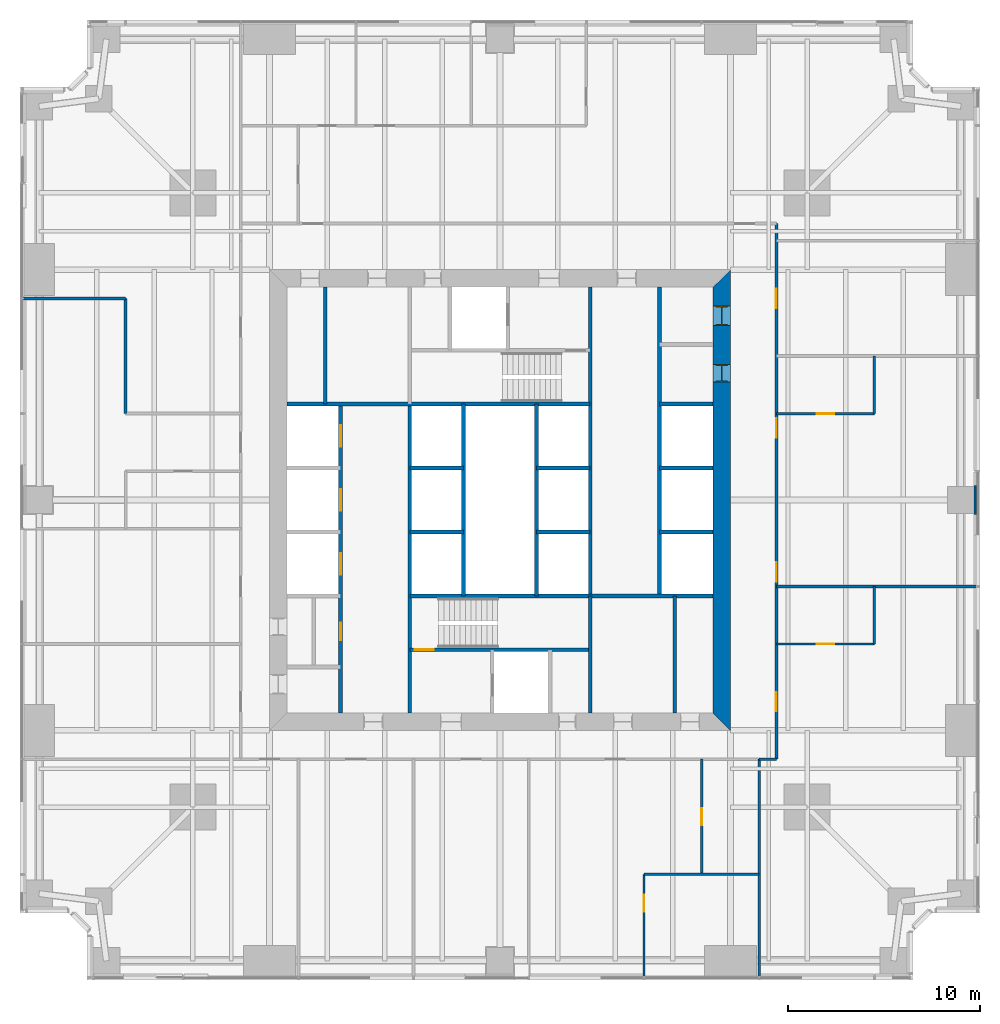
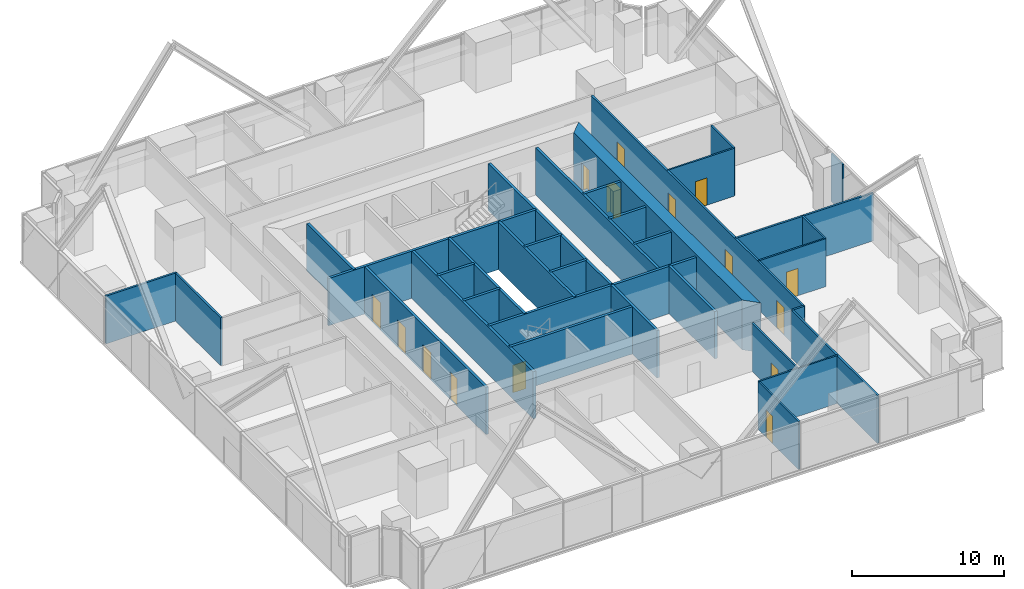
# One storey, part 10 of 13: 34 walls, 15 doors, 15 openings.
"""IFC4 building model written with IfcOpenShell, lengths in metres."""

from ifc_helpers import new_model, si_unit, direction, frame, frame_2d, origin, place, context, subcontext, project, spatial, polyline, rectangle, outline, extrude, material, layer, layer_set, type_object, element, fill, save


model = new_model("IFC4")

# Units and contexts
model_context = context("Model", 3, precision=1e-05, world=origin(), true_north=direction((0.0, 1.0)))
body_context = subcontext(model_context, "Body", "Model", "MODEL_VIEW")
ifc_project = project(units=[si_unit("LENGTHUNIT", "METRE"), si_unit("AREAUNIT", "SQUARE_METRE"), si_unit("VOLUMEUNIT", "CUBIC_METRE"), si_unit("PLANEANGLEUNIT", "RADIAN"), si_unit("MASSUNIT", "GRAM", prefix="KILO")], contexts=[model_context])

# Site, building, storey
site_placement = place(None, origin())
site = spatial("IfcSite", under=ifc_project, at=site_placement, CompositionType="ELEMENT")
building_placement = place(site_placement, origin())
building = spatial("IfcBuilding", under=site, at=building_placement, Name="Fenwick Lantern Interchange", CompositionType="ELEMENT")
storey_placement = place(building_placement, frame((0.0, 0.0, 67.0)))
storey = spatial("IfcBuildingStorey", under=building, at=storey_placement, Name="L15", CompositionType="ELEMENT", Elevation=67.0)

# Wall
ifc_material_1 = material(Name="Fire-rated gypsum board encasement on steel studs, 2 hour", Category="steel")
ifc_layer_1 = layer(ifc_material_1, 1.5)
ifc_layer_set_1 = layer_set([ifc_layer_1], Name="COLUMN PIER 1500")
wall_type_1 = type_object("IfcWallType", Name="COLUMN PIER 1500", PredefinedType="PARTITIONING", material=ifc_layer_set_1)
wall_1_placement = place(storey_placement, frame((49.800048828125, 25.0, 0.0), z_axis=(0.0, 0.0, 1.0), x_axis=(-1.0, 0.0, 0.0)))
element("IfcWall", 1, at=wall_1_placement, inside=storey, type_object=wall_type_1, Name="L15/W/PIER/CE3", PredefinedType="PARTITIONING", context=body_context, shape_type="SweptSolid", body=[
    extrude(rectangle(XDim=0.10009765625, YDim=1.5, at=frame_2d((0.050048828125, 0.0))), origin(), (0.0, 0.0, 1.0), 3.85009765625),
])

# Wall, openings, doors
ifc_material_2 = material(Name="Concrete masonry ASTM C90 Grade N", Category="masonry")
ifc_layer_2 = layer(ifc_material_2, 0.199951171875)
ifc_layer_set_2 = layer_set([ifc_layer_2], Name="Concrete masonry ASTM C90 Grade N")
wall_type_2 = type_object("IfcWallType", Name="CORE PARTITION 200", PredefinedType="PARTITIONING", material=ifc_layer_set_2)
wall_2_placement = place(storey_placement, frame((16.699951171875, 13.89990234375, 0.0), z_axis=(0.0, 0.0, 1.0), x_axis=(0.0, 1.0, 0.0)))
wall_2 = element("IfcWall", 2, at=wall_2_placement, inside=storey, type_object=wall_type_2, Name="L15/W/CORES/a", PredefinedType="PARTITIONING", context=body_context, shape_type="SweptSolid", body=[
    extrude(rectangle(XDim=16.10009765625, YDim=0.199951171875, at=frame_2d((8.050048828125, 0.0))), origin(), (0.0, 0.0, 1.0), 3.800048828125),
])
opening_1_placement = place(wall_2_placement, frame((3.800048828125, 0.0, 0.0)))
opening_1 = element("IfcOpeningElement", 3, at=opening_1_placement, cuts=wall_2, Name="Opening L15-D008", PredefinedType="OPENING", context=body_context, shape_type="SweptSolid", body=[
    extrude(rectangle(XDim=0.89990234375, YDim=2.199951171875, at=frame_2d((0.449951171875, 1.10009765625))), frame((0.0, 0.10986328125, 0.0), z_axis=(0.0, -1.0, 0.0), x_axis=(1.0, 0.0, 0.0)), (0.0, 0.0, 1.0), 0.219970703125),
])
opening_2_placement = place(wall_2_placement, frame((7.216552734375, 0.0, 0.0)))
opening_2 = element("IfcOpeningElement", 4, at=opening_2_placement, cuts=wall_2, Name="Opening LD-W1-1", PredefinedType="OPENING", context=body_context, shape_type="SweptSolid", body=[
    extrude(rectangle(XDim=1.10009765625, YDim=2.199951171875, at=frame_2d((0.550048828125, 1.10009765625))), frame((0.0, 0.10986328125, 0.0), z_axis=(0.0, -1.0, 0.0), x_axis=(1.0, 0.0, 0.0)), (0.0, 0.0, 1.0), 0.219970703125),
])
opening_3_placement = place(wall_2_placement, frame((10.550048828125, 0.0, 0.0)))
opening_3 = element("IfcOpeningElement", 5, at=opening_3_placement, cuts=wall_2, Name="Opening LD-W1-2", PredefinedType="OPENING", context=body_context, shape_type="SweptSolid", body=[
    extrude(rectangle(XDim=1.10009765625, YDim=2.199951171875, at=frame_2d((0.550048828125, 1.10009765625))), frame((0.0, 0.10986328125, 0.0), z_axis=(0.0, -1.0, 0.0), x_axis=(1.0, 0.0, 0.0)), (0.0, 0.0, 1.0), 0.219970703125),
])
opening_4_placement = place(wall_2_placement, frame((13.88330078125, 0.0, 0.0)))
opening_4 = element("IfcOpeningElement", 6, at=opening_4_placement, cuts=wall_2, Name="Opening LD-W1-3", PredefinedType="OPENING", context=body_context, shape_type="SweptSolid", body=[
    extrude(rectangle(XDim=1.10009765625, YDim=2.199951171875, at=frame_2d((0.550048828125, 1.10009765625))), frame((0.0, 0.10986328125, 0.0), z_axis=(0.0, -1.0, 0.0), x_axis=(1.0, 0.0, 0.0)), (0.0, 0.0, 1.0), 0.219970703125),
])
ifc_material_3 = material(Name="Steel door and frame", Category="steel")
door_type_1 = type_object("IfcDoorType", Name="LIFT LANDING DOOR 1100 X 2200", OperationType="DOUBLE_DOOR_SLIDING", PredefinedType="DOOR", material=ifc_material_3)
door_1_placement = place(opening_2_placement, origin())
door_1 = element("IfcDoor", 7, at=door_1_placement, inside=storey, type_object=door_type_1, Name="Lift landing door W1-1", OperationType="DOUBLE_DOOR_SLIDING", OverallHeight=2.199951171875, OverallWidth=1.10009765625, PredefinedType="DOOR", context=body_context, shape_type="SweptSolid", body=[
    extrude(rectangle(XDim=1.10009765625, YDim=2.199951171875, at=frame_2d((0.550048828125, 1.10009765625))), frame((0.0, 0.02490234375, 0.0), z_axis=(0.0, -1.0, 0.0), x_axis=(1.0, 0.0, 0.0)), (0.0, 0.0, 1.0), 0.050048828125),
])
fill(opening_2, door_1)
door_2_placement = place(opening_3_placement, origin())
door_2 = element("IfcDoor", 8, at=door_2_placement, inside=storey, type_object=door_type_1, Name="Lift landing door W1-2", OperationType="DOUBLE_DOOR_SLIDING", OverallHeight=2.199951171875, OverallWidth=1.10009765625, PredefinedType="DOOR", context=body_context, shape_type="SweptSolid", body=[
    extrude(rectangle(XDim=1.10009765625, YDim=2.199951171875, at=frame_2d((0.550048828125, 1.10009765625))), frame((0.0, 0.02490234375, 0.0), z_axis=(0.0, -1.0, 0.0), x_axis=(1.0, 0.0, 0.0)), (0.0, 0.0, 1.0), 0.050048828125),
])
fill(opening_3, door_2)
door_3_placement = place(opening_4_placement, origin())
door_3 = element("IfcDoor", 9, at=door_3_placement, inside=storey, type_object=door_type_1, Name="Lift landing door W1-3", OperationType="DOUBLE_DOOR_SLIDING", OverallHeight=2.199951171875, OverallWidth=1.10009765625, PredefinedType="DOOR", context=body_context, shape_type="SweptSolid", body=[
    extrude(rectangle(XDim=1.10009765625, YDim=2.199951171875, at=frame_2d((0.550048828125, 1.10009765625))), frame((0.0, 0.02490234375, 0.0), z_axis=(0.0, -1.0, 0.0), x_axis=(1.0, 0.0, 0.0)), (0.0, 0.0, 1.0), 0.050048828125),
])
fill(opening_4, door_3)
door_type_2 = type_object("IfcDoorType", Name="SERVICE DOOR 900 X 2200", OperationType="SINGLE_SWING_LEFT", PredefinedType="DOOR", material=ifc_material_3)
door_4_placement = place(opening_1_placement, origin())
door_4 = element("IfcDoor", 10, at=door_4_placement, inside=storey, type_object=door_type_2, Name="Service door", OperationType="SINGLE_SWING_LEFT", OverallHeight=2.199951171875, OverallWidth=0.89990234375, PredefinedType="DOOR", context=body_context, shape_type="SweptSolid", body=[
    extrude(rectangle(XDim=0.89990234375, YDim=2.199951171875, at=frame_2d((0.449951171875, 1.10009765625))), frame((0.0, 0.02490234375, 0.0), z_axis=(0.0, -1.0, 0.0), x_axis=(1.0, 0.0, 0.0)), (0.0, 0.0, 1.0), 0.050048828125),
])
fill(opening_1, door_4)

# Walls
for number, where, z_axis, x_axis, name in (
    (11, (20.300048828125, 23.333251953125, 0.0), (0.0, 0.0, 1.0), (1.0, 0.0, 0.0), "L15/W/CORES/e1"),
    (12, (20.300048828125, 26.666748046875, 0.0), (0.0, 0.0, 1.0), (1.0, 0.0, 0.0), "L15/W/CORES/e2"),
):
    element("IfcWall", number, at=place(storey_placement, frame(where, z_axis=z_axis, x_axis=x_axis)), inside=storey, type_object=wall_type_2, Name=name, PredefinedType="PARTITIONING", context=body_context, shape_type="SweptSolid", body=[
        extrude(rectangle(XDim=2.800048828125, YDim=0.199951171875, at=frame_2d((1.39990234375, 0.0))), origin(), (0.0, 0.0, 1.0), 3.800048828125),
    ])
wall_3_placement = place(storey_placement, frame((23.10009765625, 20.0, 0.0), z_axis=(0.0, 0.0, 1.0), x_axis=(0.0, 1.0, 0.0)))
element("IfcWall", 13, at=wall_3_placement, inside=storey, type_object=wall_type_2, Name="L15/W/CORES/e3", PredefinedType="PARTITIONING", context=body_context, shape_type="SweptSolid", body=[
    extrude(rectangle(XDim=10.0, YDim=0.199951171875, at=frame_2d((5.0, 0.0))), origin(), (0.0, 0.0, 1.0), 3.800048828125),
])
wall_4_placement = place(storey_placement, frame((34.10009765625, 13.89990234375, 0.0), z_axis=(0.0, 0.0, 1.0), x_axis=(0.0, 1.0, 0.0)))
element("IfcWall", 14, at=wall_4_placement, inside=storey, type_object=wall_type_2, Name="L15/W/CORES/i2", PredefinedType="PARTITIONING", context=body_context, shape_type="SweptSolid", body=[
    extrude(rectangle(XDim=6.10009765625, YDim=0.199951171875, at=frame_2d((3.050048828125, 0.0))), origin(), (0.0, 0.0, 1.0), 3.800048828125),
])
wall_5_placement = place(storey_placement, frame((33.300048828125, 36.10009765625, 0.0), z_axis=(0.0, 0.0, 1.0), x_axis=(0.0, -1.0, 0.0)))
element("IfcWall", 15, at=wall_5_placement, inside=storey, type_object=wall_type_2, Name="L15/W/COREN/a", PredefinedType="PARTITIONING", context=body_context, shape_type="SweptSolid", body=[
    extrude(rectangle(XDim=16.10009765625, YDim=0.199951171875, at=frame_2d((8.050048828125, 0.0))), origin(), (0.0, 0.0, 1.0), 3.800048828125),
])
for number, where, z_axis, x_axis, name in (
    (16, (36.10009765625, 30.0, 0.0), (0.0, 0.0, 1.0), (-1.0, 0.0, 0.0), "L15/W/COREN/c2"),
    (17, (36.10009765625, 26.666748046875, 0.0), (0.0, 0.0, 1.0), (-1.0, 0.0, 0.0), "L15/W/COREN/d1"),
    (18, (36.10009765625, 23.333251953125, 0.0), (0.0, 0.0, 1.0), (-1.0, 0.0, 0.0), "L15/W/COREN/d2"),
    (19, (29.699951171875, 26.666748046875, 0.0), (0.0, 0.0, 1.0), (-1.0, 0.0, 0.0), "L15/W/COREN/e1"),
    (20, (29.699951171875, 23.333251953125, 0.0), (0.0, 0.0, 1.0), (-1.0, 0.0, 0.0), "L15/W/COREN/e2"),
):
    element("IfcWall", number, at=place(storey_placement, frame(where, z_axis=z_axis, x_axis=x_axis)), inside=storey, type_object=wall_type_2, Name=name, PredefinedType="PARTITIONING", context=body_context, shape_type="SweptSolid", body=[
        extrude(rectangle(XDim=2.800048828125, YDim=0.199951171875, at=frame_2d((1.39990234375, 0.0))), origin(), (0.0, 0.0, 1.0), 3.800048828125),
    ])
wall_6_placement = place(storey_placement, frame((26.89990234375, 30.0, 0.0), z_axis=(0.0, 0.0, 1.0), x_axis=(0.0, -1.0, 0.0)))
element("IfcWall", 21, at=wall_6_placement, inside=storey, type_object=wall_type_2, Name="L15/W/COREN/e3", PredefinedType="PARTITIONING", context=body_context, shape_type="SweptSolid", body=[
    extrude(rectangle(XDim=10.0, YDim=0.199951171875, at=frame_2d((5.0, 0.0))), origin(), (0.0, 0.0, 1.0), 3.800048828125),
])
wall_7_placement = place(storey_placement, frame((15.89990234375, 36.10009765625, 0.0), z_axis=(0.0, 0.0, 1.0), x_axis=(0.0, -1.0, 0.0)))
element("IfcWall", 22, at=wall_7_placement, inside=storey, type_object=wall_type_2, Name="L15/W/COREN/i2", PredefinedType="PARTITIONING", context=body_context, shape_type="SweptSolid", body=[
    extrude(rectangle(XDim=6.10009765625, YDim=0.199951171875, at=frame_2d((3.050048828125, 0.0))), origin(), (0.0, 0.0, 1.0), 3.800048828125),
])

# Wall, openings, doors
ifc_material_4 = material(Name="Concrete f'c 70 MPa", Category="concrete")
ifc_layer_3 = layer(ifc_material_4, 0.89990234375)
ifc_layer_set_3 = layer_set([ifc_layer_3], Name="CORE WALL 900")
wall_type_3 = type_object("IfcWallType", Name="CORE WALL 900", PredefinedType="SHEAR", material=ifc_layer_set_3)
wall_8_placement = place(storey_placement, frame((36.550048828125, 13.89990234375, 0.0), z_axis=(0.0, 0.0, 1.0), x_axis=(0.0, 1.0, 0.0)))
wall_8 = element("IfcWall", 23, at=wall_8_placement, inside=storey, type_object=wall_type_3, Name="L15/CORE/E", PredefinedType="SHEAR", context=body_context, shape_type="SweptSolid", body=[
    extrude(outline(polyline([(-0.89990234375, -0.449951171875), (23.10009765625, -0.449951171875), (22.199951171875, 0.449951171875), (0.0, 0.449951171875), (-0.89990234375, -0.449951171875)])), origin(), (0.0, 0.0, 1.0), 4.0),
])
opening_5_placement = place(wall_8_placement, frame((20.199951171875, 0.0, 0.0)))
opening_5 = element("IfcOpeningElement", 24, at=opening_5_placement, cuts=wall_8, Name="Opening L15-D016", PredefinedType="OPENING", context=body_context, shape_type="SweptSolid", body=[
    extrude(rectangle(XDim=1.0, YDim=2.199951171875, at=frame_2d((0.5, 1.10009765625))), frame((0.0, 0.4599609375, 0.0), z_axis=(0.0, -1.0, 0.0), x_axis=(1.0, 0.0, 0.0)), (0.0, 0.0, 1.0), 0.919921875),
])
opening_6_placement = place(wall_8_placement, frame((17.25, 0.0, 0.0)))
opening_6 = element("IfcOpeningElement", 25, at=opening_6_placement, cuts=wall_8, Name="Opening L15-D017", PredefinedType="OPENING", context=body_context, shape_type="SweptSolid", body=[
    extrude(rectangle(XDim=0.89990234375, YDim=2.199951171875, at=frame_2d((0.449951171875, 1.10009765625))), frame((0.0, 0.4599609375, 0.0), z_axis=(0.0, -1.0, 0.0), x_axis=(1.0, 0.0, 0.0)), (0.0, 0.0, 1.0), 0.919921875),
])
door_5_placement = place(opening_6_placement, origin())
door_5 = element("IfcDoor", 26, at=door_5_placement, inside=storey, type_object=door_type_2, Name="Service door", OperationType="SINGLE_SWING_RIGHT", OverallHeight=2.199951171875, OverallWidth=0.89990234375, PredefinedType="DOOR", context=body_context, shape_type="SweptSolid", body=[
    extrude(rectangle(XDim=0.89990234375, YDim=2.199951171875, at=frame_2d((0.449951171875, 1.10009765625))), frame((0.0, 0.02490234375, 0.0), z_axis=(0.0, -1.0, 0.0), x_axis=(1.0, 0.0, 0.0)), (0.0, 0.0, 1.0), 0.050048828125),
    extrude(outline(polyline([(0.0, 0.0), (0.0400390625, 0.0), (0.0400390625, 2.159912109375), (0.85986328125, 2.159912109375), (0.85986328125, 0.0), (0.89990234375, 0.0), (0.89990234375, 2.199951171875), (0.0, 2.199951171875), (0.0, 0.0)])), frame((0.0, 0.300048828125, 0.0), z_axis=(0.0, -1.0, 0.0), x_axis=(1.0, 0.0, 0.0)), (0.0, 0.0, 1.0), 0.60009765625),
])
fill(opening_6, door_5)
ifc_material_5 = material(Name="Hardwood door and steel frame", Category="steel")
door_type_3 = type_object("IfcDoorType", Name="WC DOOR 1000 X 2200", OperationType="SINGLE_SWING_LEFT", PredefinedType="DOOR", material=ifc_material_5)
door_6_placement = place(opening_5_placement, origin())
door_6 = element("IfcDoor", 27, at=door_6_placement, inside=storey, type_object=door_type_3, Name="Wc door", OperationType="SINGLE_SWING_LEFT", OverallHeight=2.199951171875, OverallWidth=1.0, PredefinedType="DOOR", context=body_context, shape_type="SweptSolid", body=[
    extrude(rectangle(XDim=1.0, YDim=2.199951171875, at=frame_2d((0.5, 1.10009765625))), frame((0.0, 0.02490234375, 0.0), z_axis=(0.0, -1.0, 0.0), x_axis=(1.0, 0.0, 0.0)), (0.0, 0.0, 1.0), 0.050048828125),
    extrude(outline(polyline([(0.0, 0.0), (0.0400390625, 0.0), (0.0400390625, 2.159912109375), (0.9599609375, 2.159912109375), (0.9599609375, 0.0), (1.0, 0.0), (1.0, 2.199951171875), (0.0, 2.199951171875), (0.0, 0.0)])), frame((0.0, 0.300048828125, 0.0), z_axis=(0.0, -1.0, 0.0), x_axis=(1.0, 0.0, 0.0)), (0.0, 0.0, 1.0), 0.60009765625),
])
fill(opening_5, door_6)

# Wall
ifc_material_6 = material(Name="Gypsum board on steel studs, 1 hour", Category="steel")
ifc_layer_4 = layer(ifc_material_6, 0.14990234375)
ifc_layer_set_4 = layer_set([ifc_layer_4], Name="CORRIDOR WALL 150")
wall_type_4 = type_object("IfcWallType", Name="CORRIDOR WALL 150", PredefinedType="PARTITIONING", material=ifc_layer_set_4)
wall_9_placement = place(storey_placement, frame((38.5, 11.5, 0.0), z_axis=(0.0, 0.0, 1.0), x_axis=(1.0, 0.0, 0.0)))
element("IfcWall", 28, at=wall_9_placement, inside=storey, type_object=wall_type_4, Name="L15/W/OFF/E/CWJ", PredefinedType="PARTITIONING", context=body_context, shape_type="SweptSolid", body=[
    extrude(rectangle(XDim=0.89990234375, YDim=0.14990234375, at=frame_2d((0.449951171875, 0.0))), origin(), (0.0, 0.0, 1.0), 3.85009765625),
])

# Wall, openings, doors
wall_10_placement = place(storey_placement, frame((39.39990234375, 11.5, 0.0), z_axis=(0.0, 0.0, 1.0), x_axis=(0.0, 1.0, 0.0)))
wall_10 = element("IfcWall", 29, at=wall_10_placement, inside=storey, type_object=wall_type_4, Name="L15/W/OFF/E/CW2", PredefinedType="PARTITIONING", context=body_context, shape_type="SweptSolid", body=[
    extrude(rectangle(XDim=27.89990234375, YDim=0.14990234375, at=frame_2d((13.949951171875, 0.0))), origin(), (0.0, 0.0, 1.0), 3.85009765625),
])
opening_7_placement = place(wall_10_placement, frame((2.5, 0.0, 0.0)))
opening_7 = element("IfcOpeningElement", 30, at=opening_7_placement, cuts=wall_10, Name="Opening L15-D024", PredefinedType="OPENING", context=body_context, shape_type="SweptSolid", body=[
    extrude(rectangle(XDim=1.0, YDim=2.199951171875, at=frame_2d((0.5, 1.10009765625))), frame((0.0, 0.0849609375, 0.0), z_axis=(0.0, -1.0, 0.0), x_axis=(1.0, 0.0, 0.0)), (0.0, 0.0, 1.0), 0.169921875),
])
opening_8_placement = place(wall_10_placement, frame((9.25, 0.0, 0.0)))
opening_8 = element("IfcOpeningElement", 31, at=opening_8_placement, cuts=wall_10, Name="Opening L15-D026", PredefinedType="OPENING", context=body_context, shape_type="SweptSolid", body=[
    extrude(rectangle(XDim=1.0, YDim=2.199951171875, at=frame_2d((0.5, 1.10009765625))), frame((0.0, 0.0849609375, 0.0), z_axis=(0.0, -1.0, 0.0), x_axis=(1.0, 0.0, 0.0)), (0.0, 0.0, 1.0), 0.169921875),
])
opening_9_placement = place(wall_10_placement, frame((16.75, 0.0, 0.0)))
opening_9 = element("IfcOpeningElement", 32, at=opening_9_placement, cuts=wall_10, Name="Opening L15-D027", PredefinedType="OPENING", context=body_context, shape_type="SweptSolid", body=[
    extrude(rectangle(XDim=1.0, YDim=2.199951171875, at=frame_2d((0.5, 1.10009765625))), frame((0.0, 0.0849609375, 0.0), z_axis=(0.0, -1.0, 0.0), x_axis=(1.0, 0.0, 0.0)), (0.0, 0.0, 1.0), 0.169921875),
])
opening_10_placement = place(wall_10_placement, frame((23.5, 0.0, 0.0)))
opening_10 = element("IfcOpeningElement", 33, at=opening_10_placement, cuts=wall_10, Name="Opening L15-D029", PredefinedType="OPENING", context=body_context, shape_type="SweptSolid", body=[
    extrude(rectangle(XDim=1.0, YDim=2.199951171875, at=frame_2d((0.5, 1.10009765625))), frame((0.0, 0.0849609375, 0.0), z_axis=(0.0, -1.0, 0.0), x_axis=(1.0, 0.0, 0.0)), (0.0, 0.0, 1.0), 0.169921875),
])
door_type_4 = type_object("IfcDoorType", Name="SUITE ENTRANCE DOOR 1000 X 2200", OperationType="SINGLE_SWING_LEFT", PredefinedType="DOOR", material=ifc_material_3)
door_7_placement = place(opening_7_placement, frame((1.0, 0.0, 0.0), z_axis=(0.0, 0.0, 1.0), x_axis=(-1.0, 0.0, 0.0)))
door_7 = element("IfcDoor", 34, at=door_7_placement, inside=storey, type_object=door_type_4, Name="Suite entrance door", OperationType="SINGLE_SWING_LEFT", OverallHeight=2.199951171875, OverallWidth=1.0, PredefinedType="DOOR", context=body_context, shape_type="SweptSolid", body=[
    extrude(rectangle(XDim=1.0, YDim=2.199951171875, at=frame_2d((0.5, 1.10009765625))), frame((0.0, 0.02490234375, 0.0), z_axis=(0.0, -1.0, 0.0), x_axis=(1.0, 0.0, 0.0)), (0.0, 0.0, 1.0), 0.050048828125),
])
fill(opening_7, door_7)
door_8_placement = place(opening_8_placement, origin())
door_8 = element("IfcDoor", 35, at=door_8_placement, inside=storey, type_object=door_type_4, Name="Suite entrance door", OperationType="SINGLE_SWING_LEFT", OverallHeight=2.199951171875, OverallWidth=1.0, PredefinedType="DOOR", context=body_context, shape_type="SweptSolid", body=[
    extrude(rectangle(XDim=1.0, YDim=2.199951171875, at=frame_2d((0.5, 1.10009765625))), frame((0.0, 0.02490234375, 0.0), z_axis=(0.0, -1.0, 0.0), x_axis=(1.0, 0.0, 0.0)), (0.0, 0.0, 1.0), 0.050048828125),
])
fill(opening_8, door_8)
door_9_placement = place(opening_9_placement, origin())
door_9 = element("IfcDoor", 36, at=door_9_placement, inside=storey, type_object=door_type_4, Name="Suite entrance door", OperationType="SINGLE_SWING_RIGHT", OverallHeight=2.199951171875, OverallWidth=1.0, PredefinedType="DOOR", context=body_context, shape_type="SweptSolid", body=[
    extrude(rectangle(XDim=1.0, YDim=2.199951171875, at=frame_2d((0.5, 1.10009765625))), frame((0.0, 0.02490234375, 0.0), z_axis=(0.0, -1.0, 0.0), x_axis=(1.0, 0.0, 0.0)), (0.0, 0.0, 1.0), 0.050048828125),
])
fill(opening_9, door_9)
door_10_placement = place(opening_10_placement, frame((1.0, 0.0, 0.0), z_axis=(0.0, 0.0, 1.0), x_axis=(-1.0, 0.0, 0.0)))
door_10 = element("IfcDoor", 37, at=door_10_placement, inside=storey, type_object=door_type_4, Name="Suite entrance door", OperationType="SINGLE_SWING_RIGHT", OverallHeight=2.199951171875, OverallWidth=1.0, PredefinedType="DOOR", context=body_context, shape_type="SweptSolid", body=[
    extrude(rectangle(XDim=1.0, YDim=2.199951171875, at=frame_2d((0.5, 1.10009765625))), frame((0.0, 0.02490234375, 0.0), z_axis=(0.0, -1.0, 0.0), x_axis=(1.0, 0.0, 0.0)), (0.0, 0.0, 1.0), 0.050048828125),
])
fill(opening_10, door_10)

# Wall, opening, door
ifc_material_7 = material(Name="Gypsum board on steel studs, acoustic", Category="steel")
ifc_layer_5 = layer(ifc_material_7, 0.125)
ifc_layer_set_5 = layer_set([ifc_layer_5], Name="OFFICE PARTITION 125")
wall_type_5 = type_object("IfcWallType", Name="OFFICE PARTITION 125", PredefinedType="PARTITIONING", material=ifc_layer_set_5)
wall_11_placement = place(storey_placement, frame((32.5, 0.14990234375, 0.0), z_axis=(0.0, 0.0, 1.0), x_axis=(0.0, 1.0, 0.0)))
wall_11 = element("IfcWall", 38, at=wall_11_placement, inside=storey, type_object=wall_type_5, Name="L15/W/OFF/S/X325-1", PredefinedType="PARTITIONING", context=body_context, shape_type="SweptSolid", body=[
    extrude(rectangle(XDim=5.35009765625, YDim=0.125, at=frame_2d((2.675048828125, 0.0))), origin(), (0.0, 0.0, 1.0), 3.85009765625),
])
opening_11_placement = place(wall_11_placement, frame((3.39990234375, 0.0, 0.0)))
opening_11 = element("IfcOpeningElement", 39, at=opening_11_placement, cuts=wall_11, Name="Opening L15-D022", PredefinedType="OPENING", context=body_context, shape_type="SweptSolid", body=[
    extrude(rectangle(XDim=0.89990234375, YDim=2.199951171875, at=frame_2d((0.449951171875, 1.10009765625))), frame((0.0, 0.072509765625, 0.0), z_axis=(0.0, -1.0, 0.0), x_axis=(1.0, 0.0, 0.0)), (0.0, 0.0, 1.0), 0.14501953125),
])
door_type_5 = type_object("IfcDoorType", Name="OFFICE DOOR 900 X 2200", OperationType="SINGLE_SWING_LEFT", PredefinedType="DOOR", material=ifc_material_5)
door_11_placement = place(opening_11_placement, frame((0.89990234375, 0.0, 0.0), z_axis=(0.0, 0.0, 1.0), x_axis=(-1.0, 0.0, 0.0)))
door_11 = element("IfcDoor", 40, at=door_11_placement, inside=storey, type_object=door_type_5, Name="Office door", OperationType="SINGLE_SWING_LEFT", OverallHeight=2.199951171875, OverallWidth=0.89990234375, PredefinedType="DOOR", context=body_context, shape_type="SweptSolid", body=[
    extrude(rectangle(XDim=0.89990234375, YDim=2.199951171875, at=frame_2d((0.449951171875, 1.10009765625))), frame((0.0, 0.02490234375, 0.0), z_axis=(0.0, -1.0, 0.0), x_axis=(1.0, 0.0, 0.0)), (0.0, 0.0, 1.0), 0.050048828125),
])
fill(opening_11, door_11)

wall_12_placement = place(storey_placement, frame((35.5, 5.5, 0.0), z_axis=(0.0, 0.0, 1.0), x_axis=(0.0, 1.0, 0.0)))
wall_12 = element("IfcWall", 41, at=wall_12_placement, inside=storey, type_object=wall_type_5, Name="L15/W/OFF/S/X355-1", PredefinedType="PARTITIONING", context=body_context, shape_type="SweptSolid", body=[
    extrude(rectangle(XDim=6.0, YDim=0.125, at=frame_2d((3.0, 0.0))), origin(), (0.0, 0.0, 1.0), 3.85009765625),
])
opening_12_placement = place(wall_12_placement, frame((2.550048828125, 0.0, 0.0)))
opening_12 = element("IfcOpeningElement", 42, at=opening_12_placement, cuts=wall_12, Name="Opening L15-D023", PredefinedType="OPENING", context=body_context, shape_type="SweptSolid", body=[
    extrude(rectangle(XDim=0.89990234375, YDim=2.199951171875, at=frame_2d((0.449951171875, 1.10009765625))), frame((0.0, 0.072509765625, 0.0), z_axis=(0.0, -1.0, 0.0), x_axis=(1.0, 0.0, 0.0)), (0.0, 0.0, 1.0), 0.14501953125),
])
door_12_placement = place(opening_12_placement, frame((0.89990234375, 0.0, 0.0), z_axis=(0.0, 0.0, 1.0), x_axis=(-1.0, 0.0, 0.0)))
door_12 = element("IfcDoor", 43, at=door_12_placement, inside=storey, type_object=door_type_5, Name="Office door", OperationType="SINGLE_SWING_RIGHT", OverallHeight=2.199951171875, OverallWidth=0.89990234375, PredefinedType="DOOR", context=body_context, shape_type="SweptSolid", body=[
    extrude(rectangle(XDim=0.89990234375, YDim=2.199951171875, at=frame_2d((0.449951171875, 1.10009765625))), frame((0.0, 0.02490234375, 0.0), z_axis=(0.0, -1.0, 0.0), x_axis=(1.0, 0.0, 0.0)), (0.0, 0.0, 1.0), 0.050048828125),
])
fill(opening_12, door_12)

# Wall
wall_13_placement = place(storey_placement, frame((32.5, 5.5, 0.0), z_axis=(0.0, 0.0, 1.0), x_axis=(1.0, 0.0, 0.0)))
element("IfcWall", 44, at=wall_13_placement, inside=storey, type_object=wall_type_5, Name="L15/W/OFF/S/Y55-1", PredefinedType="PARTITIONING", context=body_context, shape_type="SweptSolid", body=[
    extrude(rectangle(XDim=6.0, YDim=0.125, at=frame_2d((3.0, 0.0))), origin(), (0.0, 0.0, 1.0), 3.85009765625),
])

# Wall, opening, door
wall_14_placement = place(storey_placement, frame((44.5, 17.5, 0.0), z_axis=(0.0, 0.0, 1.0), x_axis=(-1.0, 0.0, 0.0)))
wall_14 = element("IfcWall", 45, at=wall_14_placement, inside=storey, type_object=wall_type_5, Name="L15/W/OFF/E/X175-1", PredefinedType="PARTITIONING", context=body_context, shape_type="SweptSolid", body=[
    extrude(rectangle(XDim=5.10009765625, YDim=0.125, at=frame_2d((2.550048828125, 0.0))), origin(), (0.0, 0.0, 1.0), 3.85009765625),
])
opening_13_placement = place(wall_14_placement, frame((2.10009765625, 0.0, 0.0)))
opening_13 = element("IfcOpeningElement", 46, at=opening_13_placement, cuts=wall_14, Name="Opening L15-D025", PredefinedType="OPENING", context=body_context, shape_type="SweptSolid", body=[
    extrude(rectangle(XDim=0.89990234375, YDim=2.199951171875, at=frame_2d((0.449951171875, 1.10009765625))), frame((0.0, 0.072509765625, 0.0), z_axis=(0.0, -1.0, 0.0), x_axis=(1.0, 0.0, 0.0)), (0.0, 0.0, 1.0), 0.14501953125),
])
door_13_placement = place(opening_13_placement, frame((0.89990234375, 0.0, 0.0), z_axis=(0.0, 0.0, 1.0), x_axis=(-1.0, 0.0, 0.0)))
door_13 = element("IfcDoor", 47, at=door_13_placement, inside=storey, type_object=door_type_5, Name="Office door", OperationType="SINGLE_SWING_RIGHT", OverallHeight=2.199951171875, OverallWidth=0.89990234375, PredefinedType="DOOR", context=body_context, shape_type="SweptSolid", body=[
    extrude(rectangle(XDim=0.89990234375, YDim=2.199951171875, at=frame_2d((0.449951171875, 1.10009765625))), frame((0.0, 0.02490234375, 0.0), z_axis=(0.0, -1.0, 0.0), x_axis=(1.0, 0.0, 0.0)), (0.0, 0.0, 1.0), 0.050048828125),
])
fill(opening_13, door_13)

wall_15_placement = place(storey_placement, frame((44.5, 29.5, 0.0), z_axis=(0.0, 0.0, 1.0), x_axis=(-1.0, 0.0, 0.0)))
wall_15 = element("IfcWall", 48, at=wall_15_placement, inside=storey, type_object=wall_type_5, Name="L15/W/OFF/E/X295-1", PredefinedType="PARTITIONING", context=body_context, shape_type="SweptSolid", body=[
    extrude(rectangle(XDim=5.10009765625, YDim=0.125, at=frame_2d((2.550048828125, 0.0))), origin(), (0.0, 0.0, 1.0), 3.85009765625),
])
opening_14_placement = place(wall_15_placement, frame((2.10009765625, 0.0, 0.0)))
opening_14 = element("IfcOpeningElement", 49, at=opening_14_placement, cuts=wall_15, Name="Opening L15-D028", PredefinedType="OPENING", context=body_context, shape_type="SweptSolid", body=[
    extrude(rectangle(XDim=0.89990234375, YDim=2.199951171875, at=frame_2d((0.449951171875, 1.10009765625))), frame((0.0, 0.072509765625, 0.0), z_axis=(0.0, -1.0, 0.0), x_axis=(1.0, 0.0, 0.0)), (0.0, 0.0, 1.0), 0.14501953125),
])
door_14_placement = place(opening_14_placement, frame((0.89990234375, 0.0, 0.0), z_axis=(0.0, 0.0, 1.0), x_axis=(-1.0, 0.0, 0.0)))
door_14 = element("IfcDoor", 50, at=door_14_placement, inside=storey, type_object=door_type_5, Name="Office door", OperationType="SINGLE_SWING_RIGHT", OverallHeight=2.199951171875, OverallWidth=0.89990234375, PredefinedType="DOOR", context=body_context, shape_type="SweptSolid", body=[
    extrude(rectangle(XDim=0.89990234375, YDim=2.199951171875, at=frame_2d((0.449951171875, 1.10009765625))), frame((0.0, 0.02490234375, 0.0), z_axis=(0.0, -1.0, 0.0), x_axis=(1.0, 0.0, 0.0)), (0.0, 0.0, 1.0), 0.050048828125),
])
fill(opening_14, door_14)

# Walls
for number, where, z_axis, x_axis, name in (
    (51, (44.5, 17.5, 0.0), (0.0, 0.0, 1.0), (0.0, 1.0, 0.0), "L15/W/OFF/E/Y55-1"),
    (52, (44.5, 29.5, 0.0), (0.0, 0.0, 1.0), (0.0, 1.0, 0.0), "L15/W/OFF/E/Y55-2"),
):
    element("IfcWall", number, at=place(storey_placement, frame(where, z_axis=z_axis, x_axis=x_axis)), inside=storey, type_object=wall_type_5, Name=name, PredefinedType="PARTITIONING", context=body_context, shape_type="SweptSolid", body=[
        extrude(rectangle(XDim=3.0, YDim=0.125, at=frame_2d((1.5, 0.0))), origin(), (0.0, 0.0, 1.0), 3.85009765625),
    ])
ifc_material_8 = material(Name="Concrete f'c 45 MPa", Category="concrete")
ifc_layer_6 = layer(ifc_material_8, 0.199951171875)
ifc_layer_set_6 = layer_set([ifc_layer_6], Name="STAIR CORE WALL 200")
wall_type_6 = type_object("IfcWallType", Name="STAIR CORE WALL 200", PredefinedType="SOLIDWALL", material=ifc_layer_set_6)
wall_16_placement = place(storey_placement, frame((20.300048828125, 13.89990234375, 0.0), z_axis=(0.0, 0.0, 1.0), x_axis=(0.0, 1.0, 0.0)))
element("IfcWall", 53, at=wall_16_placement, inside=storey, type_object=wall_type_6, Name="L15/W/CORES/b", PredefinedType="SOLIDWALL", context=body_context, shape_type="SweptSolid", body=[
    extrude(rectangle(XDim=16.10009765625, YDim=0.199951171875, at=frame_2d((8.050048828125, 0.0))), origin(), (0.0, 0.0, 1.0), 3.800048828125),
])

# Wall, opening, door
wall_17_placement = place(storey_placement, frame((20.300048828125, 17.199951171875, 0.0), z_axis=(0.0, 0.0, 1.0), x_axis=(1.0, 0.0, 0.0)))
wall_17 = element("IfcWall", 54, at=wall_17_placement, inside=storey, type_object=wall_type_6, Name="L15/W/CORES/g1", PredefinedType="SOLIDWALL", context=body_context, shape_type="SweptSolid", body=[
    extrude(rectangle(XDim=9.39990234375, YDim=0.199951171875, at=frame_2d((4.699951171875, 0.0))), origin(), (0.0, 0.0, 1.0), 3.800048828125),
])
opening_15_placement = place(wall_17_placement, frame((0.25, 0.0, 0.0)))
opening_15 = element("IfcOpeningElement", 55, at=opening_15_placement, cuts=wall_17, Name="Opening L15-D003", PredefinedType="OPENING", context=body_context, shape_type="SweptSolid", body=[
    extrude(rectangle(XDim=1.0, YDim=2.199951171875, at=frame_2d((0.5, 1.10009765625))), frame((0.0, 0.10986328125, 0.0), z_axis=(0.0, -1.0, 0.0), x_axis=(1.0, 0.0, 0.0)), (0.0, 0.0, 1.0), 0.219970703125),
])
door_type_6 = type_object("IfcDoorType", Name="STAIR DOOR 1000 X 2200", OperationType="SINGLE_SWING_LEFT", PredefinedType="DOOR", material=ifc_material_3)
door_15_placement = place(opening_15_placement, origin())
door_15 = element("IfcDoor", 56, at=door_15_placement, inside=storey, type_object=door_type_6, Name="Stair door", OperationType="SINGLE_SWING_LEFT", OverallHeight=2.199951171875, OverallWidth=1.0, PredefinedType="DOOR", context=body_context, shape_type="SweptSolid", body=[
    extrude(rectangle(XDim=1.0, YDim=2.199951171875, at=frame_2d((0.5, 1.10009765625))), frame((0.0, 0.02490234375, 0.0), z_axis=(0.0, -1.0, 0.0), x_axis=(1.0, 0.0, 0.0)), (0.0, 0.0, 1.0), 0.050048828125),
])
fill(opening_15, door_15)

# Walls
wall_18_placement = place(storey_placement, frame((20.300048828125, 20.0, 0.0), z_axis=(0.0, 0.0, 1.0), x_axis=(1.0, 0.0, 0.0)))
element("IfcWall", 57, at=wall_18_placement, inside=storey, type_object=wall_type_6, Name="L15/W/CORES/g2", PredefinedType="SOLIDWALL", context=body_context, shape_type="SweptSolid", body=[
    extrude(rectangle(XDim=15.800048828125, YDim=0.199951171875, at=frame_2d((7.89990234375, 0.0))), origin(), (0.0, 0.0, 1.0), 3.800048828125),
])
wall_19_placement = place(storey_placement, frame((29.699951171875, 13.89990234375, 0.0), z_axis=(0.0, 0.0, 1.0), x_axis=(0.0, 1.0, 0.0)))
element("IfcWall", 58, at=wall_19_placement, inside=storey, type_object=wall_type_6, Name="L15/W/CORES/i1", PredefinedType="SOLIDWALL", context=body_context, shape_type="SweptSolid", body=[
    extrude(rectangle(XDim=6.10009765625, YDim=0.199951171875, at=frame_2d((3.050048828125, 0.0))), origin(), (0.0, 0.0, 1.0), 3.800048828125),
])
wall_20_placement = place(storey_placement, frame((29.699951171875, 36.10009765625, 0.0), z_axis=(0.0, 0.0, 1.0), x_axis=(0.0, -1.0, 0.0)))
element("IfcWall", 59, at=wall_20_placement, inside=storey, type_object=wall_type_6, Name="L15/W/COREN/b", PredefinedType="SOLIDWALL", context=body_context, shape_type="SweptSolid", body=[
    extrude(rectangle(XDim=16.10009765625, YDim=0.199951171875, at=frame_2d((8.050048828125, 0.0))), origin(), (0.0, 0.0, 1.0), 3.800048828125),
])
wall_21_placement = place(storey_placement, frame((29.699951171875, 30.0, 0.0), z_axis=(0.0, 0.0, 1.0), x_axis=(-1.0, 0.0, 0.0)))
element("IfcWall", 60, at=wall_21_placement, inside=storey, type_object=wall_type_6, Name="L15/W/COREN/g2", PredefinedType="SOLIDWALL", context=body_context, shape_type="SweptSolid", body=[
    extrude(rectangle(XDim=15.800048828125, YDim=0.199951171875, at=frame_2d((7.89990234375, 0.0))), origin(), (0.0, 0.0, 1.0), 3.800048828125),
])
ifc_material_9 = material(Name="Gypsum board on steel studs, 1 hour acoustic", Category="steel")
ifc_layer_7 = layer(ifc_material_9, 0.14990234375)
ifc_layer_set_7 = layer_set([ifc_layer_7], Name="TENANT WALL 150")
wall_type_7 = type_object("IfcWallType", Name="TENANT WALL 150", PredefinedType="PARTITIONING", material=ifc_layer_set_7)
wall_22_placement = place(storey_placement, frame((38.5, 0.14990234375, 0.0), z_axis=(0.0, 0.0, 1.0), x_axis=(0.0, 1.0, 0.0)))
element("IfcWall", 61, at=wall_22_placement, inside=storey, type_object=wall_type_7, Name="L15/W/OFF/E/BACK", PredefinedType="PARTITIONING", context=body_context, shape_type="SweptSolid", body=[
    extrude(rectangle(XDim=11.35009765625, YDim=0.14990234375, at=frame_2d((5.675048828125, 0.0))), origin(), (0.0, 0.0, 1.0), 3.85009765625),
])
wall_23_placement = place(storey_placement, frame((49.85009765625, 20.5, 0.0), z_axis=(0.0, 0.0, 1.0), x_axis=(-1.0, 0.0, 0.0)))
element("IfcWall", 62, at=wall_23_placement, inside=storey, type_object=wall_type_7, Name="L15/W/OFF/E/X205-1", PredefinedType="PARTITIONING", context=body_context, shape_type="SweptSolid", body=[
    extrude(rectangle(XDim=10.4501953125, YDim=0.14990234375, at=frame_2d((5.22509765625, 0.0))), origin(), (0.0, 0.0, 1.0), 3.85009765625),
])
wall_24_placement = place(storey_placement, frame((0.14990234375, 35.5, 0.0), z_axis=(0.0, 0.0, 1.0), x_axis=(1.0, 0.0, 0.0)))
element("IfcWall", 63, at=wall_24_placement, inside=storey, type_object=wall_type_7, Name="L15/W/OFF/W/X145-1", PredefinedType="PARTITIONING", context=body_context, shape_type="SweptSolid", body=[
    extrude(rectangle(XDim=5.35009765625, YDim=0.14990234375, at=frame_2d((2.675048828125, 0.0))), origin(), (0.0, 0.0, 1.0), 3.85009765625),
])
wall_25_placement = place(storey_placement, frame((5.5, 35.5, 0.0), z_axis=(0.0, 0.0, 1.0), x_axis=(0.0, -1.0, 0.0)))
element("IfcWall", 64, at=wall_25_placement, inside=storey, type_object=wall_type_7, Name="L15/W/OFF/W/Y55-1", PredefinedType="PARTITIONING", context=body_context, shape_type="SweptSolid", body=[
    extrude(rectangle(XDim=6.0, YDim=0.14990234375, at=frame_2d((3.0, 0.0))), origin(), (0.0, 0.0, 1.0), 3.85009765625),
])

save(model, "model.ifc")
